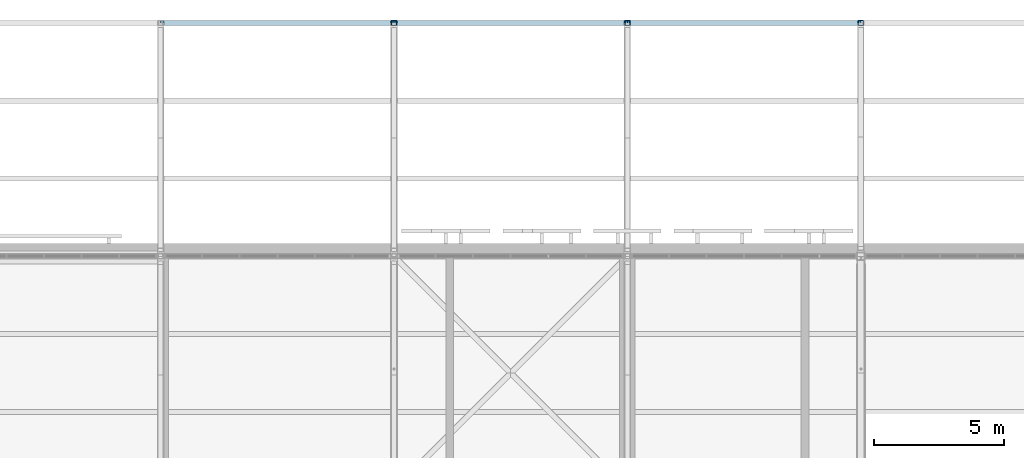
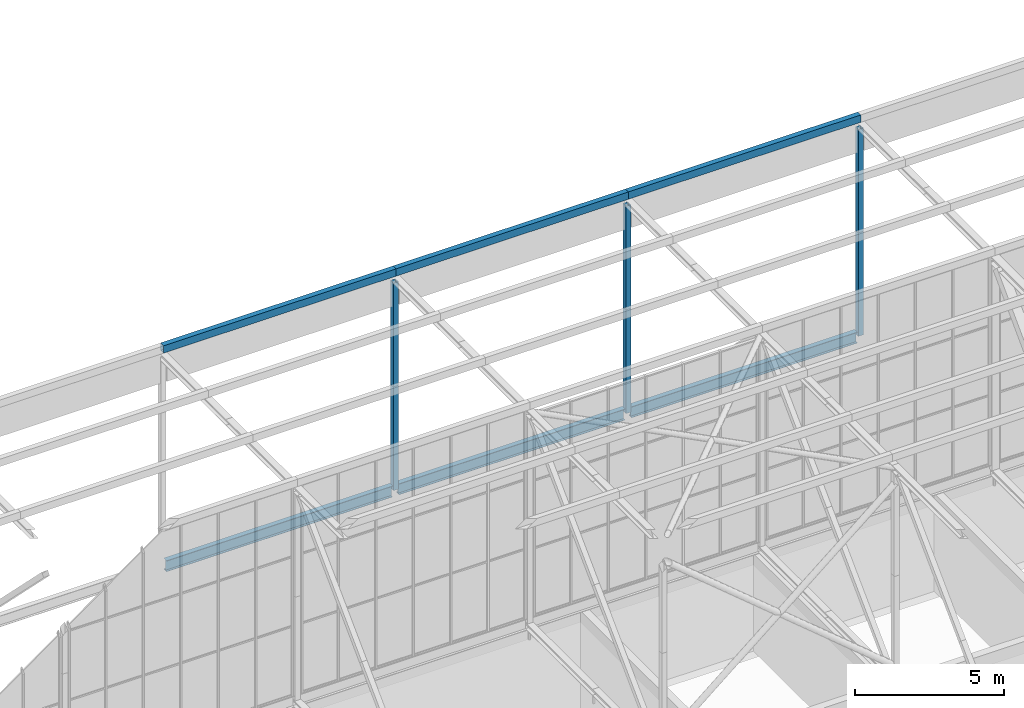
# One storey, part 121 of 646: 9 members, 3 beams.
"""IFC4 building model written with IfcOpenShell, lengths in metres."""

from ifc_helpers import new_model, si_unit, direction, frame, origin, origin_2d, place, context, subcontext, project, spatial, hollow_rectangle, i_section, extrude, material, material_profile, profile_set, type_object, element, save


model = new_model("IFC4")

# Units and contexts
model_context = context("Model", 3, precision=1e-05, world=origin(), true_north=direction((0.0, 1.0)))
body_context = subcontext(model_context, "Body", "Model", "MODEL_VIEW")
ifc_project = project(units=[si_unit("LENGTHUNIT", "METRE"), si_unit("AREAUNIT", "SQUARE_METRE"), si_unit("VOLUMEUNIT", "CUBIC_METRE"), si_unit("PLANEANGLEUNIT", "RADIAN"), si_unit("MASSUNIT", "GRAM", prefix="KILO")], contexts=[model_context])

# Site, building, storey
site_placement = place(None, origin())
site = spatial("IfcSite", under=ifc_project, at=site_placement, CompositionType="ELEMENT")
building_placement = place(site_placement, origin())
building = spatial("IfcBuilding", under=site, at=building_placement, Name="Silverbay Arena", CompositionType="ELEMENT")
storey_placement = place(building_placement, frame((0.0, 0.0, 33.5)))
storey = spatial("IfcBuildingStorey", under=building, at=storey_placement, Name="L05", CompositionType="ELEMENT", Elevation=33.5)

# Members
ifc_material_1 = material(Name="Steel S355", Category="steel")
ifc_material_profile_1 = material_profile(ifc_material_1, hollow_rectangle(XDim=0.199951171875, YDim=0.199951171875, WallThickness=0.008056640625, at=origin_2d()), Name="SHS 200x200x8")
ifc_profile_set_1 = profile_set([ifc_material_profile_1], Name="Steel S355")
member_type_1 = type_object("IfcMemberType", Name="Main-span truss vertical SHS 200x200x8", PredefinedType="STRUT", material=ifc_profile_set_1)
for number, where, z_axis, x_axis, name in (
    (1, (108.0, 153.0, 4.2666015625), (0.0, 0.0, 1.0), (1.0, 0.0, 0.0), "ROOF TRUSS 13 vertical 17a"),
    (2, (108.0, 153.0, 8.5), (0.0, 0.0, 1.0), (1.0, 0.0, 0.0), "ROOF TRUSS 13 vertical 17b"),
):
    element("IfcMember", number, at=place(storey_placement, frame(where, z_axis=z_axis, x_axis=x_axis)), inside=storey, type_object=member_type_1, Name=name, PredefinedType="STRUT", context=body_context, shape_type="SweptSolid", body=[
        extrude(hollow_rectangle(XDim=0.199951171875, YDim=0.199951171875, WallThickness=0.008056640625, at=origin_2d()), origin(), (0.0, 0.0, 1.0), 4.2333984375),
    ])
ifc_material_2 = material(Name="Steel S355", Category="steel")
ifc_material_profile_2 = material_profile(ifc_material_2, hollow_rectangle(XDim=0.199951171875, YDim=0.199951171875, WallThickness=0.008056640625, at=origin_2d()), Name="SHS 200x200x8")
ifc_profile_set_2 = profile_set([ifc_material_profile_2], Name="Steel S355")
member_type_2 = type_object("IfcMemberType", Name="Medium-span truss vertical SHS 200x200x8", PredefinedType="STRUT", material=ifc_profile_set_2)
for number, where, z_axis, x_axis, name in (
    (3, (90.0, 153.0, 4.254150390625), (0.0, 0.0, 1.0), (1.0, 0.0, 0.0), "ROOF TRUSS 11 vertical 17a"),
    (4, (90.0, 153.0, 8.5), (0.0, 0.0, 1.0), (1.0, 0.0, 0.0), "ROOF TRUSS 11 vertical 17b"),
    (5, (99.0, 153.0, 4.254150390625), (0.0, 0.0, 1.0), (1.0, 0.0, 0.0), "ROOF TRUSS 12 vertical 17a"),
    (6, (99.0, 153.0, 8.5), (0.0, 0.0, 1.0), (1.0, 0.0, 0.0), "ROOF TRUSS 12 vertical 17b"),
):
    element("IfcMember", number, at=place(storey_placement, frame(where, z_axis=z_axis, x_axis=x_axis)), inside=storey, type_object=member_type_2, Name=name, PredefinedType="STRUT", context=body_context, shape_type="SweptSolid", body=[
        extrude(hollow_rectangle(XDim=0.199951171875, YDim=0.199951171875, WallThickness=0.008056640625, at=origin_2d()), origin(), (0.0, 0.0, 1.0), 4.245849609375),
    ])
ifc_material_3 = material(Name="Steel S355", Category="steel")
ifc_material_profile_3 = material_profile(ifc_material_3, hollow_rectangle(XDim=0.199951171875, YDim=0.300048828125, WallThickness=0.008056640625, at=origin_2d()), Name="RHS 300x200x8")
ifc_profile_set_3 = profile_set([ifc_material_profile_3], Name="Steel S355")
member_type_3 = type_object("IfcMemberType", Name="Purlin RHS 300x200x8", PredefinedType="PURLIN", material=ifc_profile_set_3)
for number, where, z_axis, x_axis, name in (
    (7, (81.0, 153.0, 13.14990234375), (1.0, 0.0, 0.0), (0.0, 1.0, 0.0), "ROOF PURLIN 10-11 line 49"),
    (8, (90.0, 153.0, 13.14990234375), (1.0, 0.0, 0.0), (0.0, 1.0, 0.0), "ROOF PURLIN 11-12 line 49"),
    (9, (99.0, 153.0, 13.14990234375), (1.0, 0.0, 0.0), (0.0, 1.0, 0.0), "ROOF PURLIN 12-13 line 49"),
):
    element("IfcMember", number, at=place(storey_placement, frame(where, z_axis=z_axis, x_axis=x_axis)), inside=storey, type_object=member_type_3, Name=name, PredefinedType="PURLIN", context=body_context, shape_type="SweptSolid", body=[
        extrude(hollow_rectangle(XDim=0.199951171875, YDim=0.300048828125, WallThickness=0.008056640625, at=origin_2d()), origin(), (0.0, 0.0, 1.0), 9.0),
    ])

# Beams
ifc_material_4 = material(Name="Steel S355", Category="steel")
ifc_material_profile_4 = material_profile(ifc_material_4, i_section(OverallWidth=0.18994140625, OverallDepth=0.453369140625, WebThickness=0.008544921875, FlangeThickness=0.0126953125, at=origin_2d()), Name="UB 457x191x67")
ifc_profile_set_4 = profile_set([ifc_material_profile_4], Name="Steel S355")
beam_type = type_object("IfcBeamType", Name="Ring beam UB 457x191x67", PredefinedType="BEAM", material=ifc_profile_set_4)
for number, where, z_axis, x_axis, name in (
    (10, (81.127197265625, 153.0, 4.226806640625), (1.0, 0.0, 0.0), (0.0, 1.0, 0.0), "RING BEAM north edge 10-11"),
    (11, (90.127197265625, 153.0, 4.226806640625), (1.0, 0.0, 0.0), (0.0, 1.0, 0.0), "RING BEAM north edge 11-12"),
):
    element("IfcBeam", number, at=place(storey_placement, frame(where, z_axis=z_axis, x_axis=x_axis)), inside=storey, type_object=beam_type, Name=name, PredefinedType="BEAM", context=body_context, shape_type="SweptSolid", body=[
        extrude(i_section(OverallWidth=0.18994140625, OverallDepth=0.453369140625, WebThickness=0.008544921875, FlangeThickness=0.0126953125, at=origin_2d()), origin(), (0.0, 0.0, 1.0), 8.74560546875),
    ])
beam_placement = place(storey_placement, frame((99.127197265625, 153.0, 4.226806640625), z_axis=(1.0, 0.0, 0.0), x_axis=(0.0, 1.0, 0.0)))
element("IfcBeam", 12, at=beam_placement, inside=storey, type_object=beam_type, Name="RING BEAM north edge 12-13", PredefinedType="BEAM", context=body_context, shape_type="SweptSolid", body=[
    extrude(i_section(OverallWidth=0.18994140625, OverallDepth=0.453369140625, WebThickness=0.008544921875, FlangeThickness=0.0126953125, at=origin_2d()), origin(), (0.0, 0.0, 1.0), 8.743408203125),
])

save(model, "model.ifc")
